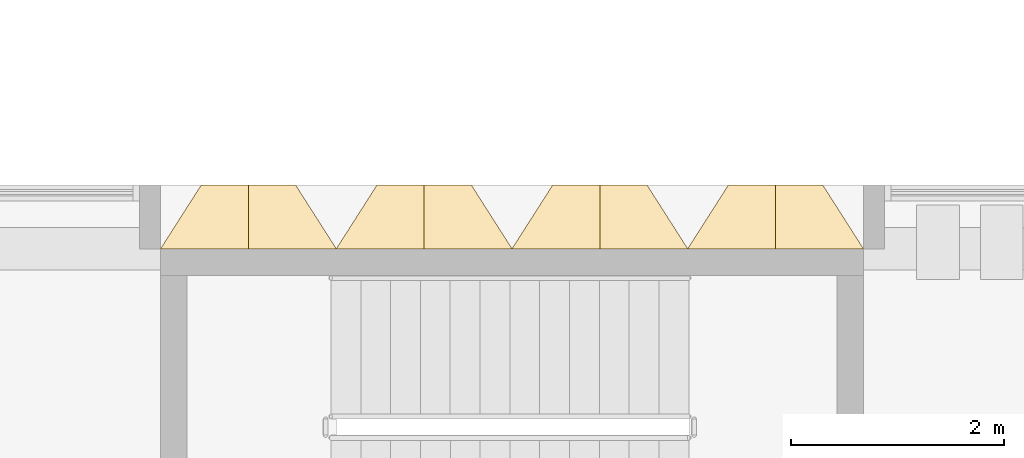
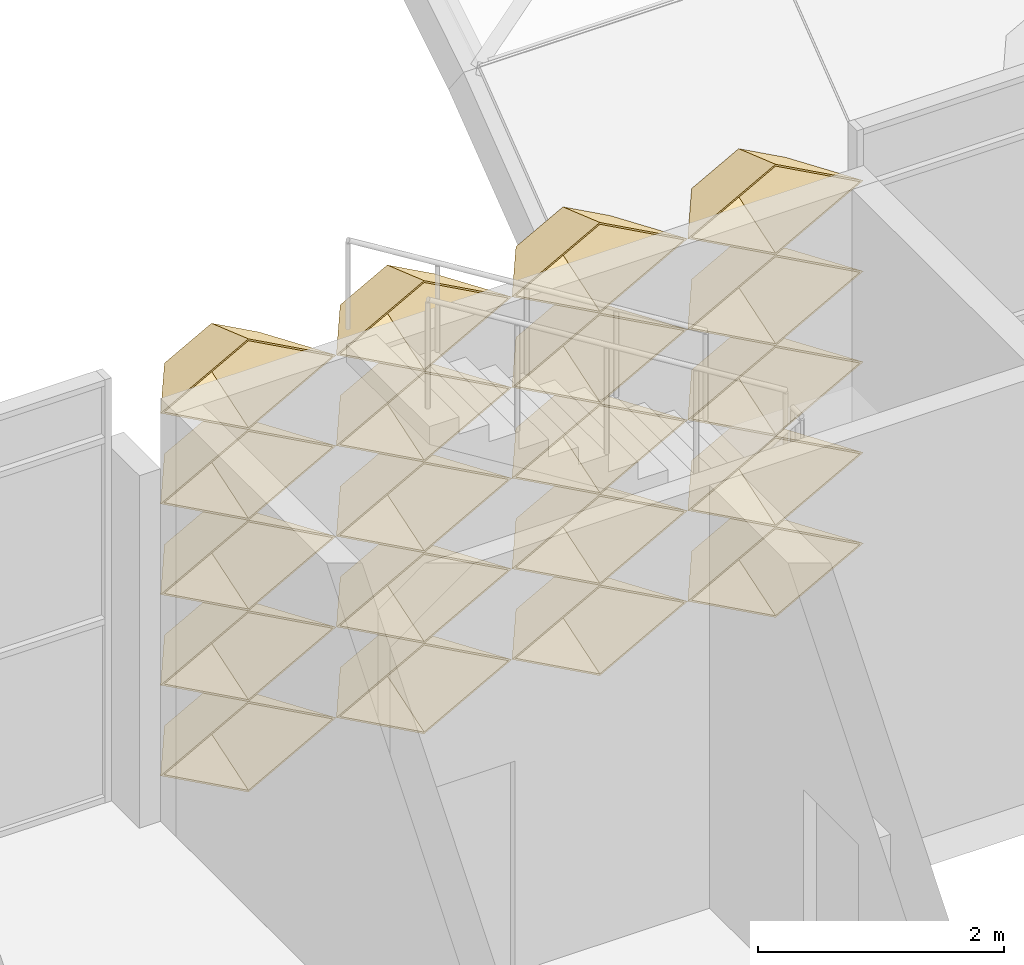
# One storey, part 53 of 85: 20 coverings.
"""IFC4 building model written with IfcOpenShell, lengths in metres."""

from ifc_helpers import new_model, entity, si_unit, direction, frame, origin, place, context, subcontext, project, spatial, material, layer, layer_set, type_object, element, save


model = new_model("IFC4")

# Units and contexts
model_context = context("Model", 3, precision=1e-05, world=origin(), true_north=direction((0.0, 1.0)))
body_context = subcontext(model_context, "Body", "Model", "MODEL_VIEW")
ifc_project = project(units=[si_unit("LENGTHUNIT", "METRE"), si_unit("AREAUNIT", "SQUARE_METRE"), si_unit("VOLUMEUNIT", "CUBIC_METRE"), si_unit("PLANEANGLEUNIT", "RADIAN"), si_unit("MASSUNIT", "GRAM", prefix="KILO")], contexts=[model_context])

# Site, building, storey
site_placement = place(None, origin())
site = spatial("IfcSite", under=ifc_project, at=site_placement, CompositionType="ELEMENT")
building_placement = place(site_placement, origin())
building = spatial("IfcBuilding", under=site, at=building_placement, Name="Lantern Court Research Institute", CompositionType="ELEMENT")
storey_placement = place(building_placement, frame((0.0, 0.0, 18.89990234375)))
storey = spatial("IfcBuildingStorey", under=building, at=storey_placement, Name="L04", CompositionType="ELEMENT", Elevation=18.89990234375)

# Coverings
ifc_material = material(Name="Anodised aluminium", Category="aluminium")
ifc_layer = layer(ifc_material, 0.01611328125)
ifc_layer_set = layer_set([ifc_layer], Name="Anodised aluminium")
covering_type = type_object("IfcCoveringType", Name="Fin cassette 1650 x 900 x 600 aluminium", PredefinedType="CLADDING", material=ifc_layer_set)
covering_1_placement = place(storey_placement, frame((33.824951171875, 23.10009765625, 0.4501953125), z_axis=(0.0, 1.0, 0.0), x_axis=(-1.0, 0.0, 0.0)))
cartesian_point_1 = entity("IfcCartesianPoint", [0.824951171875, 0.0])
cartesian_point_2 = entity("IfcCartesianPoint", [0.79150390625, 0.0])
cartesian_point_3 = entity("IfcCartesianPoint", [0.44189453125, 0.0])
cartesian_point_4 = entity("IfcCartesianPoint", [0.43359375, 0.0])
element("IfcCovering", 1, at=covering_1_placement, inside=storey, type_object=covering_type, Name="Fin cassette V4N-L04 1.21", PredefinedType="CLADDING", context=body_context, shape_type="SweptSolid", body=[
    entity("IfcExtrudedAreaSolidTapered", entity("IfcArbitraryProfileDefWithVoids", "AREA", None, entity("IfcPolyline", [cartesian_point_1, entity("IfcCartesianPoint", [0.0, 0.449951171875]), entity("IfcCartesianPoint", [-0.824951171875, 0.0]), entity("IfcCartesianPoint", [0.0, -0.449951171875]), cartesian_point_1]), [entity("IfcPolyline", [cartesian_point_2, entity("IfcCartesianPoint", [0.0, 0.431884765625]), entity("IfcCartesianPoint", [-0.79150390625, 0.0]), entity("IfcCartesianPoint", [0.0, -0.431884765625]), cartesian_point_2])]), entity("IfcAxis2Placement3D", entity("IfcCartesianPoint", [0.0, 0.0, 0.0])), entity("IfcDirection", [0.0, 0.0, 1.0]), 0.60009765625, entity("IfcArbitraryProfileDefWithVoids", "AREA", None, entity("IfcPolyline", [cartesian_point_3, entity("IfcCartesianPoint", [0.0, 0.240966796875]), entity("IfcCartesianPoint", [-0.44189453125, 0.0]), entity("IfcCartesianPoint", [0.0, -0.240966796875]), cartesian_point_3]), [entity("IfcPolyline", [cartesian_point_4, entity("IfcCartesianPoint", [0.0, 0.236572265625]), entity("IfcCartesianPoint", [-0.43359375, 0.0]), entity("IfcCartesianPoint", [0.0, -0.236572265625]), cartesian_point_4])])),
])
covering_2_placement = place(storey_placement, frame((35.47509765625, 23.10009765625, 0.4501953125), z_axis=(0.0, 1.0, 0.0), x_axis=(-1.0, 0.0, 0.0)))
cartesian_point_5 = entity("IfcCartesianPoint", [0.824951171875, 0.0])
cartesian_point_6 = entity("IfcCartesianPoint", [0.79150390625, 0.0])
cartesian_point_7 = entity("IfcCartesianPoint", [0.44189453125, 0.0])
cartesian_point_8 = entity("IfcCartesianPoint", [0.43359375, 0.0])
element("IfcCovering", 2, at=covering_2_placement, inside=storey, type_object=covering_type, Name="Fin cassette V4N-L04 1.22", PredefinedType="CLADDING", context=body_context, shape_type="SweptSolid", body=[
    entity("IfcExtrudedAreaSolidTapered", entity("IfcArbitraryProfileDefWithVoids", "AREA", None, entity("IfcPolyline", [cartesian_point_5, entity("IfcCartesianPoint", [0.0, 0.449951171875]), entity("IfcCartesianPoint", [-0.824951171875, 0.0]), entity("IfcCartesianPoint", [0.0, -0.449951171875]), cartesian_point_5]), [entity("IfcPolyline", [cartesian_point_6, entity("IfcCartesianPoint", [0.0, 0.431884765625]), entity("IfcCartesianPoint", [-0.79150390625, 0.0]), entity("IfcCartesianPoint", [0.0, -0.431884765625]), cartesian_point_6])]), entity("IfcAxis2Placement3D", entity("IfcCartesianPoint", [0.0, 0.0, 0.0])), entity("IfcDirection", [0.0, 0.0, 1.0]), 0.60009765625, entity("IfcArbitraryProfileDefWithVoids", "AREA", None, entity("IfcPolyline", [cartesian_point_7, entity("IfcCartesianPoint", [0.0, 0.240966796875]), entity("IfcCartesianPoint", [-0.44189453125, 0.0]), entity("IfcCartesianPoint", [0.0, -0.240966796875]), cartesian_point_7]), [entity("IfcPolyline", [cartesian_point_8, entity("IfcCartesianPoint", [0.0, 0.236572265625]), entity("IfcCartesianPoint", [-0.43359375, 0.0]), entity("IfcCartesianPoint", [0.0, -0.236572265625]), cartesian_point_8])])),
])
covering_3_placement = place(storey_placement, frame((37.125, 23.10009765625, 0.4501953125), z_axis=(0.0, 1.0, 0.0), x_axis=(-1.0, 0.0, 0.0)))
cartesian_point_9 = entity("IfcCartesianPoint", [0.824951171875, 0.0])
cartesian_point_10 = entity("IfcCartesianPoint", [0.79150390625, 0.0])
cartesian_point_11 = entity("IfcCartesianPoint", [0.44189453125, 0.0])
cartesian_point_12 = entity("IfcCartesianPoint", [0.43359375, 0.0])
element("IfcCovering", 3, at=covering_3_placement, inside=storey, type_object=covering_type, Name="Fin cassette V4N-L04 1.23", PredefinedType="CLADDING", context=body_context, shape_type="SweptSolid", body=[
    entity("IfcExtrudedAreaSolidTapered", entity("IfcArbitraryProfileDefWithVoids", "AREA", None, entity("IfcPolyline", [cartesian_point_9, entity("IfcCartesianPoint", [0.0, 0.449951171875]), entity("IfcCartesianPoint", [-0.824951171875, 0.0]), entity("IfcCartesianPoint", [0.0, -0.449951171875]), cartesian_point_9]), [entity("IfcPolyline", [cartesian_point_10, entity("IfcCartesianPoint", [0.0, 0.431884765625]), entity("IfcCartesianPoint", [-0.79150390625, 0.0]), entity("IfcCartesianPoint", [0.0, -0.431884765625]), cartesian_point_10])]), entity("IfcAxis2Placement3D", entity("IfcCartesianPoint", [0.0, 0.0, 0.0])), entity("IfcDirection", [0.0, 0.0, 1.0]), 0.60009765625, entity("IfcArbitraryProfileDefWithVoids", "AREA", None, entity("IfcPolyline", [cartesian_point_11, entity("IfcCartesianPoint", [0.0, 0.240966796875]), entity("IfcCartesianPoint", [-0.44189453125, 0.0]), entity("IfcCartesianPoint", [0.0, -0.240966796875]), cartesian_point_11]), [entity("IfcPolyline", [cartesian_point_12, entity("IfcCartesianPoint", [0.0, 0.236572265625]), entity("IfcCartesianPoint", [-0.43359375, 0.0]), entity("IfcCartesianPoint", [0.0, -0.236572265625]), cartesian_point_12])])),
])
covering_4_placement = place(storey_placement, frame((38.77490234375, 23.10009765625, 0.4501953125), z_axis=(0.0, 1.0, 0.0), x_axis=(-1.0, 0.0, 0.0)))
cartesian_point_13 = entity("IfcCartesianPoint", [0.824951171875, 0.0])
cartesian_point_14 = entity("IfcCartesianPoint", [0.79150390625, 0.0])
cartesian_point_15 = entity("IfcCartesianPoint", [0.44189453125, 0.0])
cartesian_point_16 = entity("IfcCartesianPoint", [0.43359375, 0.0])
element("IfcCovering", 4, at=covering_4_placement, inside=storey, type_object=covering_type, Name="Fin cassette V4N-L04 1.24", PredefinedType="CLADDING", context=body_context, shape_type="SweptSolid", body=[
    entity("IfcExtrudedAreaSolidTapered", entity("IfcArbitraryProfileDefWithVoids", "AREA", None, entity("IfcPolyline", [cartesian_point_13, entity("IfcCartesianPoint", [0.0, 0.449951171875]), entity("IfcCartesianPoint", [-0.824951171875, 0.0]), entity("IfcCartesianPoint", [0.0, -0.449951171875]), cartesian_point_13]), [entity("IfcPolyline", [cartesian_point_14, entity("IfcCartesianPoint", [0.0, 0.431884765625]), entity("IfcCartesianPoint", [-0.79150390625, 0.0]), entity("IfcCartesianPoint", [0.0, -0.431884765625]), cartesian_point_14])]), entity("IfcAxis2Placement3D", entity("IfcCartesianPoint", [0.0, 0.0, 0.0])), entity("IfcDirection", [0.0, 0.0, 1.0]), 0.60009765625, entity("IfcArbitraryProfileDefWithVoids", "AREA", None, entity("IfcPolyline", [cartesian_point_15, entity("IfcCartesianPoint", [0.0, 0.240966796875]), entity("IfcCartesianPoint", [-0.44189453125, 0.0]), entity("IfcCartesianPoint", [0.0, -0.240966796875]), cartesian_point_15]), [entity("IfcPolyline", [cartesian_point_16, entity("IfcCartesianPoint", [0.0, 0.236572265625]), entity("IfcCartesianPoint", [-0.43359375, 0.0]), entity("IfcCartesianPoint", [0.0, -0.236572265625]), cartesian_point_16])])),
])
covering_5_placement = place(storey_placement, frame((33.824951171875, 23.10009765625, 1.35009765625), z_axis=(0.0, 1.0, 0.0), x_axis=(-1.0, 0.0, 0.0)))
cartesian_point_17 = entity("IfcCartesianPoint", [0.824951171875, 0.0])
cartesian_point_18 = entity("IfcCartesianPoint", [0.79150390625, 0.0])
cartesian_point_19 = entity("IfcCartesianPoint", [0.44189453125, 0.0])
cartesian_point_20 = entity("IfcCartesianPoint", [0.43359375, 0.0])
element("IfcCovering", 5, at=covering_5_placement, inside=storey, type_object=covering_type, Name="Fin cassette V4N-L04 2.21", PredefinedType="CLADDING", context=body_context, shape_type="SweptSolid", body=[
    entity("IfcExtrudedAreaSolidTapered", entity("IfcArbitraryProfileDefWithVoids", "AREA", None, entity("IfcPolyline", [cartesian_point_17, entity("IfcCartesianPoint", [0.0, 0.449951171875]), entity("IfcCartesianPoint", [-0.824951171875, 0.0]), entity("IfcCartesianPoint", [0.0, -0.449951171875]), cartesian_point_17]), [entity("IfcPolyline", [cartesian_point_18, entity("IfcCartesianPoint", [0.0, 0.431884765625]), entity("IfcCartesianPoint", [-0.79150390625, 0.0]), entity("IfcCartesianPoint", [0.0, -0.431884765625]), cartesian_point_18])]), entity("IfcAxis2Placement3D", entity("IfcCartesianPoint", [0.0, 0.0, 0.0])), entity("IfcDirection", [0.0, 0.0, 1.0]), 0.60009765625, entity("IfcArbitraryProfileDefWithVoids", "AREA", None, entity("IfcPolyline", [cartesian_point_19, entity("IfcCartesianPoint", [0.0, 0.240966796875]), entity("IfcCartesianPoint", [-0.44189453125, 0.0]), entity("IfcCartesianPoint", [0.0, -0.240966796875]), cartesian_point_19]), [entity("IfcPolyline", [cartesian_point_20, entity("IfcCartesianPoint", [0.0, 0.236572265625]), entity("IfcCartesianPoint", [-0.43359375, 0.0]), entity("IfcCartesianPoint", [0.0, -0.236572265625]), cartesian_point_20])])),
])
covering_6_placement = place(storey_placement, frame((35.47509765625, 23.10009765625, 1.35009765625), z_axis=(0.0, 1.0, 0.0), x_axis=(-1.0, 0.0, 0.0)))
cartesian_point_21 = entity("IfcCartesianPoint", [0.824951171875, 0.0])
cartesian_point_22 = entity("IfcCartesianPoint", [0.79150390625, 0.0])
cartesian_point_23 = entity("IfcCartesianPoint", [0.44189453125, 0.0])
cartesian_point_24 = entity("IfcCartesianPoint", [0.43359375, 0.0])
element("IfcCovering", 6, at=covering_6_placement, inside=storey, type_object=covering_type, Name="Fin cassette V4N-L04 2.22", PredefinedType="CLADDING", context=body_context, shape_type="SweptSolid", body=[
    entity("IfcExtrudedAreaSolidTapered", entity("IfcArbitraryProfileDefWithVoids", "AREA", None, entity("IfcPolyline", [cartesian_point_21, entity("IfcCartesianPoint", [0.0, 0.449951171875]), entity("IfcCartesianPoint", [-0.824951171875, 0.0]), entity("IfcCartesianPoint", [0.0, -0.449951171875]), cartesian_point_21]), [entity("IfcPolyline", [cartesian_point_22, entity("IfcCartesianPoint", [0.0, 0.431884765625]), entity("IfcCartesianPoint", [-0.79150390625, 0.0]), entity("IfcCartesianPoint", [0.0, -0.431884765625]), cartesian_point_22])]), entity("IfcAxis2Placement3D", entity("IfcCartesianPoint", [0.0, 0.0, 0.0])), entity("IfcDirection", [0.0, 0.0, 1.0]), 0.60009765625, entity("IfcArbitraryProfileDefWithVoids", "AREA", None, entity("IfcPolyline", [cartesian_point_23, entity("IfcCartesianPoint", [0.0, 0.240966796875]), entity("IfcCartesianPoint", [-0.44189453125, 0.0]), entity("IfcCartesianPoint", [0.0, -0.240966796875]), cartesian_point_23]), [entity("IfcPolyline", [cartesian_point_24, entity("IfcCartesianPoint", [0.0, 0.236572265625]), entity("IfcCartesianPoint", [-0.43359375, 0.0]), entity("IfcCartesianPoint", [0.0, -0.236572265625]), cartesian_point_24])])),
])
covering_7_placement = place(storey_placement, frame((37.125, 23.10009765625, 1.35009765625), z_axis=(0.0, 1.0, 0.0), x_axis=(-1.0, 0.0, 0.0)))
cartesian_point_25 = entity("IfcCartesianPoint", [0.824951171875, 0.0])
cartesian_point_26 = entity("IfcCartesianPoint", [0.79150390625, 0.0])
cartesian_point_27 = entity("IfcCartesianPoint", [0.44189453125, 0.0])
cartesian_point_28 = entity("IfcCartesianPoint", [0.43359375, 0.0])
element("IfcCovering", 7, at=covering_7_placement, inside=storey, type_object=covering_type, Name="Fin cassette V4N-L04 2.23", PredefinedType="CLADDING", context=body_context, shape_type="SweptSolid", body=[
    entity("IfcExtrudedAreaSolidTapered", entity("IfcArbitraryProfileDefWithVoids", "AREA", None, entity("IfcPolyline", [cartesian_point_25, entity("IfcCartesianPoint", [0.0, 0.449951171875]), entity("IfcCartesianPoint", [-0.824951171875, 0.0]), entity("IfcCartesianPoint", [0.0, -0.449951171875]), cartesian_point_25]), [entity("IfcPolyline", [cartesian_point_26, entity("IfcCartesianPoint", [0.0, 0.431884765625]), entity("IfcCartesianPoint", [-0.79150390625, 0.0]), entity("IfcCartesianPoint", [0.0, -0.431884765625]), cartesian_point_26])]), entity("IfcAxis2Placement3D", entity("IfcCartesianPoint", [0.0, 0.0, 0.0])), entity("IfcDirection", [0.0, 0.0, 1.0]), 0.60009765625, entity("IfcArbitraryProfileDefWithVoids", "AREA", None, entity("IfcPolyline", [cartesian_point_27, entity("IfcCartesianPoint", [0.0, 0.240966796875]), entity("IfcCartesianPoint", [-0.44189453125, 0.0]), entity("IfcCartesianPoint", [0.0, -0.240966796875]), cartesian_point_27]), [entity("IfcPolyline", [cartesian_point_28, entity("IfcCartesianPoint", [0.0, 0.236572265625]), entity("IfcCartesianPoint", [-0.43359375, 0.0]), entity("IfcCartesianPoint", [0.0, -0.236572265625]), cartesian_point_28])])),
])
covering_8_placement = place(storey_placement, frame((38.77490234375, 23.10009765625, 1.35009765625), z_axis=(0.0, 1.0, 0.0), x_axis=(-1.0, 0.0, 0.0)))
cartesian_point_29 = entity("IfcCartesianPoint", [0.824951171875, 0.0])
cartesian_point_30 = entity("IfcCartesianPoint", [0.79150390625, 0.0])
cartesian_point_31 = entity("IfcCartesianPoint", [0.44189453125, 0.0])
cartesian_point_32 = entity("IfcCartesianPoint", [0.43359375, 0.0])
element("IfcCovering", 8, at=covering_8_placement, inside=storey, type_object=covering_type, Name="Fin cassette V4N-L04 2.24", PredefinedType="CLADDING", context=body_context, shape_type="SweptSolid", body=[
    entity("IfcExtrudedAreaSolidTapered", entity("IfcArbitraryProfileDefWithVoids", "AREA", None, entity("IfcPolyline", [cartesian_point_29, entity("IfcCartesianPoint", [0.0, 0.449951171875]), entity("IfcCartesianPoint", [-0.824951171875, 0.0]), entity("IfcCartesianPoint", [0.0, -0.449951171875]), cartesian_point_29]), [entity("IfcPolyline", [cartesian_point_30, entity("IfcCartesianPoint", [0.0, 0.431884765625]), entity("IfcCartesianPoint", [-0.79150390625, 0.0]), entity("IfcCartesianPoint", [0.0, -0.431884765625]), cartesian_point_30])]), entity("IfcAxis2Placement3D", entity("IfcCartesianPoint", [0.0, 0.0, 0.0])), entity("IfcDirection", [0.0, 0.0, 1.0]), 0.60009765625, entity("IfcArbitraryProfileDefWithVoids", "AREA", None, entity("IfcPolyline", [cartesian_point_31, entity("IfcCartesianPoint", [0.0, 0.240966796875]), entity("IfcCartesianPoint", [-0.44189453125, 0.0]), entity("IfcCartesianPoint", [0.0, -0.240966796875]), cartesian_point_31]), [entity("IfcPolyline", [cartesian_point_32, entity("IfcCartesianPoint", [0.0, 0.236572265625]), entity("IfcCartesianPoint", [-0.43359375, 0.0]), entity("IfcCartesianPoint", [0.0, -0.236572265625]), cartesian_point_32])])),
])
covering_9_placement = place(storey_placement, frame((33.824951171875, 23.10009765625, 2.25), z_axis=(0.0, 1.0, 0.0), x_axis=(-1.0, 0.0, 0.0)))
cartesian_point_33 = entity("IfcCartesianPoint", [0.824951171875, 0.0])
cartesian_point_34 = entity("IfcCartesianPoint", [0.79150390625, 0.0])
cartesian_point_35 = entity("IfcCartesianPoint", [0.44189453125, 0.0])
cartesian_point_36 = entity("IfcCartesianPoint", [0.43359375, 0.0])
element("IfcCovering", 9, at=covering_9_placement, inside=storey, type_object=covering_type, Name="Fin cassette V4N-L04 3.21", PredefinedType="CLADDING", context=body_context, shape_type="SweptSolid", body=[
    entity("IfcExtrudedAreaSolidTapered", entity("IfcArbitraryProfileDefWithVoids", "AREA", None, entity("IfcPolyline", [cartesian_point_33, entity("IfcCartesianPoint", [0.0, 0.449951171875]), entity("IfcCartesianPoint", [-0.824951171875, 0.0]), entity("IfcCartesianPoint", [0.0, -0.449951171875]), cartesian_point_33]), [entity("IfcPolyline", [cartesian_point_34, entity("IfcCartesianPoint", [0.0, 0.431884765625]), entity("IfcCartesianPoint", [-0.79150390625, 0.0]), entity("IfcCartesianPoint", [0.0, -0.431884765625]), cartesian_point_34])]), entity("IfcAxis2Placement3D", entity("IfcCartesianPoint", [0.0, 0.0, 0.0])), entity("IfcDirection", [0.0, 0.0, 1.0]), 0.60009765625, entity("IfcArbitraryProfileDefWithVoids", "AREA", None, entity("IfcPolyline", [cartesian_point_35, entity("IfcCartesianPoint", [0.0, 0.240966796875]), entity("IfcCartesianPoint", [-0.44189453125, 0.0]), entity("IfcCartesianPoint", [0.0, -0.240966796875]), cartesian_point_35]), [entity("IfcPolyline", [cartesian_point_36, entity("IfcCartesianPoint", [0.0, 0.236572265625]), entity("IfcCartesianPoint", [-0.43359375, 0.0]), entity("IfcCartesianPoint", [0.0, -0.236572265625]), cartesian_point_36])])),
])
covering_10_placement = place(storey_placement, frame((35.47509765625, 23.10009765625, 2.25), z_axis=(0.0, 1.0, 0.0), x_axis=(-1.0, 0.0, 0.0)))
cartesian_point_37 = entity("IfcCartesianPoint", [0.824951171875, 0.0])
cartesian_point_38 = entity("IfcCartesianPoint", [0.79150390625, 0.0])
cartesian_point_39 = entity("IfcCartesianPoint", [0.44189453125, 0.0])
cartesian_point_40 = entity("IfcCartesianPoint", [0.43359375, 0.0])
element("IfcCovering", 10, at=covering_10_placement, inside=storey, type_object=covering_type, Name="Fin cassette V4N-L04 3.22", PredefinedType="CLADDING", context=body_context, shape_type="SweptSolid", body=[
    entity("IfcExtrudedAreaSolidTapered", entity("IfcArbitraryProfileDefWithVoids", "AREA", None, entity("IfcPolyline", [cartesian_point_37, entity("IfcCartesianPoint", [0.0, 0.449951171875]), entity("IfcCartesianPoint", [-0.824951171875, 0.0]), entity("IfcCartesianPoint", [0.0, -0.449951171875]), cartesian_point_37]), [entity("IfcPolyline", [cartesian_point_38, entity("IfcCartesianPoint", [0.0, 0.431884765625]), entity("IfcCartesianPoint", [-0.79150390625, 0.0]), entity("IfcCartesianPoint", [0.0, -0.431884765625]), cartesian_point_38])]), entity("IfcAxis2Placement3D", entity("IfcCartesianPoint", [0.0, 0.0, 0.0])), entity("IfcDirection", [0.0, 0.0, 1.0]), 0.60009765625, entity("IfcArbitraryProfileDefWithVoids", "AREA", None, entity("IfcPolyline", [cartesian_point_39, entity("IfcCartesianPoint", [0.0, 0.240966796875]), entity("IfcCartesianPoint", [-0.44189453125, 0.0]), entity("IfcCartesianPoint", [0.0, -0.240966796875]), cartesian_point_39]), [entity("IfcPolyline", [cartesian_point_40, entity("IfcCartesianPoint", [0.0, 0.236572265625]), entity("IfcCartesianPoint", [-0.43359375, 0.0]), entity("IfcCartesianPoint", [0.0, -0.236572265625]), cartesian_point_40])])),
])
covering_11_placement = place(storey_placement, frame((37.125, 23.10009765625, 2.25), z_axis=(0.0, 1.0, 0.0), x_axis=(-1.0, 0.0, 0.0)))
cartesian_point_41 = entity("IfcCartesianPoint", [0.824951171875, 0.0])
cartesian_point_42 = entity("IfcCartesianPoint", [0.79150390625, 0.0])
cartesian_point_43 = entity("IfcCartesianPoint", [0.44189453125, 0.0])
cartesian_point_44 = entity("IfcCartesianPoint", [0.43359375, 0.0])
element("IfcCovering", 11, at=covering_11_placement, inside=storey, type_object=covering_type, Name="Fin cassette V4N-L04 3.23", PredefinedType="CLADDING", context=body_context, shape_type="SweptSolid", body=[
    entity("IfcExtrudedAreaSolidTapered", entity("IfcArbitraryProfileDefWithVoids", "AREA", None, entity("IfcPolyline", [cartesian_point_41, entity("IfcCartesianPoint", [0.0, 0.449951171875]), entity("IfcCartesianPoint", [-0.824951171875, 0.0]), entity("IfcCartesianPoint", [0.0, -0.449951171875]), cartesian_point_41]), [entity("IfcPolyline", [cartesian_point_42, entity("IfcCartesianPoint", [0.0, 0.431884765625]), entity("IfcCartesianPoint", [-0.79150390625, 0.0]), entity("IfcCartesianPoint", [0.0, -0.431884765625]), cartesian_point_42])]), entity("IfcAxis2Placement3D", entity("IfcCartesianPoint", [0.0, 0.0, 0.0])), entity("IfcDirection", [0.0, 0.0, 1.0]), 0.60009765625, entity("IfcArbitraryProfileDefWithVoids", "AREA", None, entity("IfcPolyline", [cartesian_point_43, entity("IfcCartesianPoint", [0.0, 0.240966796875]), entity("IfcCartesianPoint", [-0.44189453125, 0.0]), entity("IfcCartesianPoint", [0.0, -0.240966796875]), cartesian_point_43]), [entity("IfcPolyline", [cartesian_point_44, entity("IfcCartesianPoint", [0.0, 0.236572265625]), entity("IfcCartesianPoint", [-0.43359375, 0.0]), entity("IfcCartesianPoint", [0.0, -0.236572265625]), cartesian_point_44])])),
])
covering_12_placement = place(storey_placement, frame((38.77490234375, 23.10009765625, 2.25), z_axis=(0.0, 1.0, 0.0), x_axis=(-1.0, 0.0, 0.0)))
cartesian_point_45 = entity("IfcCartesianPoint", [0.824951171875, 0.0])
cartesian_point_46 = entity("IfcCartesianPoint", [0.79150390625, 0.0])
cartesian_point_47 = entity("IfcCartesianPoint", [0.44189453125, 0.0])
cartesian_point_48 = entity("IfcCartesianPoint", [0.43359375, 0.0])
element("IfcCovering", 12, at=covering_12_placement, inside=storey, type_object=covering_type, Name="Fin cassette V4N-L04 3.24", PredefinedType="CLADDING", context=body_context, shape_type="SweptSolid", body=[
    entity("IfcExtrudedAreaSolidTapered", entity("IfcArbitraryProfileDefWithVoids", "AREA", None, entity("IfcPolyline", [cartesian_point_45, entity("IfcCartesianPoint", [0.0, 0.449951171875]), entity("IfcCartesianPoint", [-0.824951171875, 0.0]), entity("IfcCartesianPoint", [0.0, -0.449951171875]), cartesian_point_45]), [entity("IfcPolyline", [cartesian_point_46, entity("IfcCartesianPoint", [0.0, 0.431884765625]), entity("IfcCartesianPoint", [-0.79150390625, 0.0]), entity("IfcCartesianPoint", [0.0, -0.431884765625]), cartesian_point_46])]), entity("IfcAxis2Placement3D", entity("IfcCartesianPoint", [0.0, 0.0, 0.0])), entity("IfcDirection", [0.0, 0.0, 1.0]), 0.60009765625, entity("IfcArbitraryProfileDefWithVoids", "AREA", None, entity("IfcPolyline", [cartesian_point_47, entity("IfcCartesianPoint", [0.0, 0.240966796875]), entity("IfcCartesianPoint", [-0.44189453125, 0.0]), entity("IfcCartesianPoint", [0.0, -0.240966796875]), cartesian_point_47]), [entity("IfcPolyline", [cartesian_point_48, entity("IfcCartesianPoint", [0.0, 0.236572265625]), entity("IfcCartesianPoint", [-0.43359375, 0.0]), entity("IfcCartesianPoint", [0.0, -0.236572265625]), cartesian_point_48])])),
])
covering_13_placement = place(storey_placement, frame((33.824951171875, 23.10009765625, 3.150146484375), z_axis=(0.0, 1.0, 0.0), x_axis=(-1.0, 0.0, 0.0)))
cartesian_point_49 = entity("IfcCartesianPoint", [0.824951171875, 0.0])
cartesian_point_50 = entity("IfcCartesianPoint", [0.79150390625, 0.0])
cartesian_point_51 = entity("IfcCartesianPoint", [0.44189453125, 0.0])
cartesian_point_52 = entity("IfcCartesianPoint", [0.43359375, 0.0])
element("IfcCovering", 13, at=covering_13_placement, inside=storey, type_object=covering_type, Name="Fin cassette V4N-L04 4.21", PredefinedType="CLADDING", context=body_context, shape_type="SweptSolid", body=[
    entity("IfcExtrudedAreaSolidTapered", entity("IfcArbitraryProfileDefWithVoids", "AREA", None, entity("IfcPolyline", [cartesian_point_49, entity("IfcCartesianPoint", [0.0, 0.449951171875]), entity("IfcCartesianPoint", [-0.824951171875, 0.0]), entity("IfcCartesianPoint", [0.0, -0.449951171875]), cartesian_point_49]), [entity("IfcPolyline", [cartesian_point_50, entity("IfcCartesianPoint", [0.0, 0.431884765625]), entity("IfcCartesianPoint", [-0.79150390625, 0.0]), entity("IfcCartesianPoint", [0.0, -0.431884765625]), cartesian_point_50])]), entity("IfcAxis2Placement3D", entity("IfcCartesianPoint", [0.0, 0.0, 0.0])), entity("IfcDirection", [0.0, 0.0, 1.0]), 0.60009765625, entity("IfcArbitraryProfileDefWithVoids", "AREA", None, entity("IfcPolyline", [cartesian_point_51, entity("IfcCartesianPoint", [0.0, 0.240966796875]), entity("IfcCartesianPoint", [-0.44189453125, 0.0]), entity("IfcCartesianPoint", [0.0, -0.240966796875]), cartesian_point_51]), [entity("IfcPolyline", [cartesian_point_52, entity("IfcCartesianPoint", [0.0, 0.236572265625]), entity("IfcCartesianPoint", [-0.43359375, 0.0]), entity("IfcCartesianPoint", [0.0, -0.236572265625]), cartesian_point_52])])),
])
covering_14_placement = place(storey_placement, frame((35.47509765625, 23.10009765625, 3.150146484375), z_axis=(0.0, 1.0, 0.0), x_axis=(-1.0, 0.0, 0.0)))
cartesian_point_53 = entity("IfcCartesianPoint", [0.824951171875, 0.0])
cartesian_point_54 = entity("IfcCartesianPoint", [0.79150390625, 0.0])
cartesian_point_55 = entity("IfcCartesianPoint", [0.44189453125, 0.0])
cartesian_point_56 = entity("IfcCartesianPoint", [0.43359375, 0.0])
element("IfcCovering", 14, at=covering_14_placement, inside=storey, type_object=covering_type, Name="Fin cassette V4N-L04 4.22", PredefinedType="CLADDING", context=body_context, shape_type="SweptSolid", body=[
    entity("IfcExtrudedAreaSolidTapered", entity("IfcArbitraryProfileDefWithVoids", "AREA", None, entity("IfcPolyline", [cartesian_point_53, entity("IfcCartesianPoint", [0.0, 0.449951171875]), entity("IfcCartesianPoint", [-0.824951171875, 0.0]), entity("IfcCartesianPoint", [0.0, -0.449951171875]), cartesian_point_53]), [entity("IfcPolyline", [cartesian_point_54, entity("IfcCartesianPoint", [0.0, 0.431884765625]), entity("IfcCartesianPoint", [-0.79150390625, 0.0]), entity("IfcCartesianPoint", [0.0, -0.431884765625]), cartesian_point_54])]), entity("IfcAxis2Placement3D", entity("IfcCartesianPoint", [0.0, 0.0, 0.0])), entity("IfcDirection", [0.0, 0.0, 1.0]), 0.60009765625, entity("IfcArbitraryProfileDefWithVoids", "AREA", None, entity("IfcPolyline", [cartesian_point_55, entity("IfcCartesianPoint", [0.0, 0.240966796875]), entity("IfcCartesianPoint", [-0.44189453125, 0.0]), entity("IfcCartesianPoint", [0.0, -0.240966796875]), cartesian_point_55]), [entity("IfcPolyline", [cartesian_point_56, entity("IfcCartesianPoint", [0.0, 0.236572265625]), entity("IfcCartesianPoint", [-0.43359375, 0.0]), entity("IfcCartesianPoint", [0.0, -0.236572265625]), cartesian_point_56])])),
])
covering_15_placement = place(storey_placement, frame((37.125, 23.10009765625, 3.150146484375), z_axis=(0.0, 1.0, 0.0), x_axis=(-1.0, 0.0, 0.0)))
cartesian_point_57 = entity("IfcCartesianPoint", [0.824951171875, 0.0])
cartesian_point_58 = entity("IfcCartesianPoint", [0.79150390625, 0.0])
cartesian_point_59 = entity("IfcCartesianPoint", [0.44189453125, 0.0])
cartesian_point_60 = entity("IfcCartesianPoint", [0.43359375, 0.0])
element("IfcCovering", 15, at=covering_15_placement, inside=storey, type_object=covering_type, Name="Fin cassette V4N-L04 4.23", PredefinedType="CLADDING", context=body_context, shape_type="SweptSolid", body=[
    entity("IfcExtrudedAreaSolidTapered", entity("IfcArbitraryProfileDefWithVoids", "AREA", None, entity("IfcPolyline", [cartesian_point_57, entity("IfcCartesianPoint", [0.0, 0.449951171875]), entity("IfcCartesianPoint", [-0.824951171875, 0.0]), entity("IfcCartesianPoint", [0.0, -0.449951171875]), cartesian_point_57]), [entity("IfcPolyline", [cartesian_point_58, entity("IfcCartesianPoint", [0.0, 0.431884765625]), entity("IfcCartesianPoint", [-0.79150390625, 0.0]), entity("IfcCartesianPoint", [0.0, -0.431884765625]), cartesian_point_58])]), entity("IfcAxis2Placement3D", entity("IfcCartesianPoint", [0.0, 0.0, 0.0])), entity("IfcDirection", [0.0, 0.0, 1.0]), 0.60009765625, entity("IfcArbitraryProfileDefWithVoids", "AREA", None, entity("IfcPolyline", [cartesian_point_59, entity("IfcCartesianPoint", [0.0, 0.240966796875]), entity("IfcCartesianPoint", [-0.44189453125, 0.0]), entity("IfcCartesianPoint", [0.0, -0.240966796875]), cartesian_point_59]), [entity("IfcPolyline", [cartesian_point_60, entity("IfcCartesianPoint", [0.0, 0.236572265625]), entity("IfcCartesianPoint", [-0.43359375, 0.0]), entity("IfcCartesianPoint", [0.0, -0.236572265625]), cartesian_point_60])])),
])
covering_16_placement = place(storey_placement, frame((38.77490234375, 23.10009765625, 3.150146484375), z_axis=(0.0, 1.0, 0.0), x_axis=(-1.0, 0.0, 0.0)))
cartesian_point_61 = entity("IfcCartesianPoint", [0.824951171875, 0.0])
cartesian_point_62 = entity("IfcCartesianPoint", [0.79150390625, 0.0])
cartesian_point_63 = entity("IfcCartesianPoint", [0.44189453125, 0.0])
cartesian_point_64 = entity("IfcCartesianPoint", [0.43359375, 0.0])
element("IfcCovering", 16, at=covering_16_placement, inside=storey, type_object=covering_type, Name="Fin cassette V4N-L04 4.24", PredefinedType="CLADDING", context=body_context, shape_type="SweptSolid", body=[
    entity("IfcExtrudedAreaSolidTapered", entity("IfcArbitraryProfileDefWithVoids", "AREA", None, entity("IfcPolyline", [cartesian_point_61, entity("IfcCartesianPoint", [0.0, 0.449951171875]), entity("IfcCartesianPoint", [-0.824951171875, 0.0]), entity("IfcCartesianPoint", [0.0, -0.449951171875]), cartesian_point_61]), [entity("IfcPolyline", [cartesian_point_62, entity("IfcCartesianPoint", [0.0, 0.431884765625]), entity("IfcCartesianPoint", [-0.79150390625, 0.0]), entity("IfcCartesianPoint", [0.0, -0.431884765625]), cartesian_point_62])]), entity("IfcAxis2Placement3D", entity("IfcCartesianPoint", [0.0, 0.0, 0.0])), entity("IfcDirection", [0.0, 0.0, 1.0]), 0.60009765625, entity("IfcArbitraryProfileDefWithVoids", "AREA", None, entity("IfcPolyline", [cartesian_point_63, entity("IfcCartesianPoint", [0.0, 0.240966796875]), entity("IfcCartesianPoint", [-0.44189453125, 0.0]), entity("IfcCartesianPoint", [0.0, -0.240966796875]), cartesian_point_63]), [entity("IfcPolyline", [cartesian_point_64, entity("IfcCartesianPoint", [0.0, 0.236572265625]), entity("IfcCartesianPoint", [-0.43359375, 0.0]), entity("IfcCartesianPoint", [0.0, -0.236572265625]), cartesian_point_64])])),
])
covering_17_placement = place(storey_placement, frame((33.824951171875, 23.10009765625, 4.050048828125), z_axis=(0.0, 1.0, 0.0), x_axis=(-1.0, 0.0, 0.0)))
cartesian_point_65 = entity("IfcCartesianPoint", [0.824951171875, 0.0])
cartesian_point_66 = entity("IfcCartesianPoint", [0.79150390625, 0.0])
cartesian_point_67 = entity("IfcCartesianPoint", [0.44189453125, 0.0])
cartesian_point_68 = entity("IfcCartesianPoint", [0.43359375, 0.0])
element("IfcCovering", 17, at=covering_17_placement, inside=storey, type_object=covering_type, Name="Fin cassette V4N-L04 5.21", PredefinedType="CLADDING", context=body_context, shape_type="SweptSolid", body=[
    entity("IfcExtrudedAreaSolidTapered", entity("IfcArbitraryProfileDefWithVoids", "AREA", None, entity("IfcPolyline", [cartesian_point_65, entity("IfcCartesianPoint", [0.0, 0.449951171875]), entity("IfcCartesianPoint", [-0.824951171875, 0.0]), entity("IfcCartesianPoint", [0.0, -0.449951171875]), cartesian_point_65]), [entity("IfcPolyline", [cartesian_point_66, entity("IfcCartesianPoint", [0.0, 0.431884765625]), entity("IfcCartesianPoint", [-0.79150390625, 0.0]), entity("IfcCartesianPoint", [0.0, -0.431884765625]), cartesian_point_66])]), entity("IfcAxis2Placement3D", entity("IfcCartesianPoint", [0.0, 0.0, 0.0])), entity("IfcDirection", [0.0, 0.0, 1.0]), 0.60009765625, entity("IfcArbitraryProfileDefWithVoids", "AREA", None, entity("IfcPolyline", [cartesian_point_67, entity("IfcCartesianPoint", [0.0, 0.240966796875]), entity("IfcCartesianPoint", [-0.44189453125, 0.0]), entity("IfcCartesianPoint", [0.0, -0.240966796875]), cartesian_point_67]), [entity("IfcPolyline", [cartesian_point_68, entity("IfcCartesianPoint", [0.0, 0.236572265625]), entity("IfcCartesianPoint", [-0.43359375, 0.0]), entity("IfcCartesianPoint", [0.0, -0.236572265625]), cartesian_point_68])])),
])
covering_18_placement = place(storey_placement, frame((35.47509765625, 23.10009765625, 4.050048828125), z_axis=(0.0, 1.0, 0.0), x_axis=(-1.0, 0.0, 0.0)))
cartesian_point_69 = entity("IfcCartesianPoint", [0.824951171875, 0.0])
cartesian_point_70 = entity("IfcCartesianPoint", [0.79150390625, 0.0])
cartesian_point_71 = entity("IfcCartesianPoint", [0.44189453125, 0.0])
cartesian_point_72 = entity("IfcCartesianPoint", [0.43359375, 0.0])
element("IfcCovering", 18, at=covering_18_placement, inside=storey, type_object=covering_type, Name="Fin cassette V4N-L04 5.22", PredefinedType="CLADDING", context=body_context, shape_type="SweptSolid", body=[
    entity("IfcExtrudedAreaSolidTapered", entity("IfcArbitraryProfileDefWithVoids", "AREA", None, entity("IfcPolyline", [cartesian_point_69, entity("IfcCartesianPoint", [0.0, 0.449951171875]), entity("IfcCartesianPoint", [-0.824951171875, 0.0]), entity("IfcCartesianPoint", [0.0, -0.449951171875]), cartesian_point_69]), [entity("IfcPolyline", [cartesian_point_70, entity("IfcCartesianPoint", [0.0, 0.431884765625]), entity("IfcCartesianPoint", [-0.79150390625, 0.0]), entity("IfcCartesianPoint", [0.0, -0.431884765625]), cartesian_point_70])]), entity("IfcAxis2Placement3D", entity("IfcCartesianPoint", [0.0, 0.0, 0.0])), entity("IfcDirection", [0.0, 0.0, 1.0]), 0.60009765625, entity("IfcArbitraryProfileDefWithVoids", "AREA", None, entity("IfcPolyline", [cartesian_point_71, entity("IfcCartesianPoint", [0.0, 0.240966796875]), entity("IfcCartesianPoint", [-0.44189453125, 0.0]), entity("IfcCartesianPoint", [0.0, -0.240966796875]), cartesian_point_71]), [entity("IfcPolyline", [cartesian_point_72, entity("IfcCartesianPoint", [0.0, 0.236572265625]), entity("IfcCartesianPoint", [-0.43359375, 0.0]), entity("IfcCartesianPoint", [0.0, -0.236572265625]), cartesian_point_72])])),
])
covering_19_placement = place(storey_placement, frame((37.125, 23.10009765625, 4.050048828125), z_axis=(0.0, 1.0, 0.0), x_axis=(-1.0, 0.0, 0.0)))
cartesian_point_73 = entity("IfcCartesianPoint", [0.824951171875, 0.0])
cartesian_point_74 = entity("IfcCartesianPoint", [0.79150390625, 0.0])
cartesian_point_75 = entity("IfcCartesianPoint", [0.44189453125, 0.0])
cartesian_point_76 = entity("IfcCartesianPoint", [0.43359375, 0.0])
element("IfcCovering", 19, at=covering_19_placement, inside=storey, type_object=covering_type, Name="Fin cassette V4N-L04 5.23", PredefinedType="CLADDING", context=body_context, shape_type="SweptSolid", body=[
    entity("IfcExtrudedAreaSolidTapered", entity("IfcArbitraryProfileDefWithVoids", "AREA", None, entity("IfcPolyline", [cartesian_point_73, entity("IfcCartesianPoint", [0.0, 0.449951171875]), entity("IfcCartesianPoint", [-0.824951171875, 0.0]), entity("IfcCartesianPoint", [0.0, -0.449951171875]), cartesian_point_73]), [entity("IfcPolyline", [cartesian_point_74, entity("IfcCartesianPoint", [0.0, 0.431884765625]), entity("IfcCartesianPoint", [-0.79150390625, 0.0]), entity("IfcCartesianPoint", [0.0, -0.431884765625]), cartesian_point_74])]), entity("IfcAxis2Placement3D", entity("IfcCartesianPoint", [0.0, 0.0, 0.0])), entity("IfcDirection", [0.0, 0.0, 1.0]), 0.60009765625, entity("IfcArbitraryProfileDefWithVoids", "AREA", None, entity("IfcPolyline", [cartesian_point_75, entity("IfcCartesianPoint", [0.0, 0.240966796875]), entity("IfcCartesianPoint", [-0.44189453125, 0.0]), entity("IfcCartesianPoint", [0.0, -0.240966796875]), cartesian_point_75]), [entity("IfcPolyline", [cartesian_point_76, entity("IfcCartesianPoint", [0.0, 0.236572265625]), entity("IfcCartesianPoint", [-0.43359375, 0.0]), entity("IfcCartesianPoint", [0.0, -0.236572265625]), cartesian_point_76])])),
])
covering_20_placement = place(storey_placement, frame((38.77490234375, 23.10009765625, 4.050048828125), z_axis=(0.0, 1.0, 0.0), x_axis=(-1.0, 0.0, 0.0)))
cartesian_point_77 = entity("IfcCartesianPoint", [0.824951171875, 0.0])
cartesian_point_78 = entity("IfcCartesianPoint", [0.79150390625, 0.0])
cartesian_point_79 = entity("IfcCartesianPoint", [0.44189453125, 0.0])
cartesian_point_80 = entity("IfcCartesianPoint", [0.43359375, 0.0])
element("IfcCovering", 20, at=covering_20_placement, inside=storey, type_object=covering_type, Name="Fin cassette V4N-L04 5.24", PredefinedType="CLADDING", context=body_context, shape_type="SweptSolid", body=[
    entity("IfcExtrudedAreaSolidTapered", entity("IfcArbitraryProfileDefWithVoids", "AREA", None, entity("IfcPolyline", [cartesian_point_77, entity("IfcCartesianPoint", [0.0, 0.449951171875]), entity("IfcCartesianPoint", [-0.824951171875, 0.0]), entity("IfcCartesianPoint", [0.0, -0.449951171875]), cartesian_point_77]), [entity("IfcPolyline", [cartesian_point_78, entity("IfcCartesianPoint", [0.0, 0.431884765625]), entity("IfcCartesianPoint", [-0.79150390625, 0.0]), entity("IfcCartesianPoint", [0.0, -0.431884765625]), cartesian_point_78])]), entity("IfcAxis2Placement3D", entity("IfcCartesianPoint", [0.0, 0.0, 0.0])), entity("IfcDirection", [0.0, 0.0, 1.0]), 0.60009765625, entity("IfcArbitraryProfileDefWithVoids", "AREA", None, entity("IfcPolyline", [cartesian_point_79, entity("IfcCartesianPoint", [0.0, 0.240966796875]), entity("IfcCartesianPoint", [-0.44189453125, 0.0]), entity("IfcCartesianPoint", [0.0, -0.240966796875]), cartesian_point_79]), [entity("IfcPolyline", [cartesian_point_80, entity("IfcCartesianPoint", [0.0, 0.236572265625]), entity("IfcCartesianPoint", [-0.43359375, 0.0]), entity("IfcCartesianPoint", [0.0, -0.236572265625]), cartesian_point_80])])),
])

save(model, "model.ifc")
